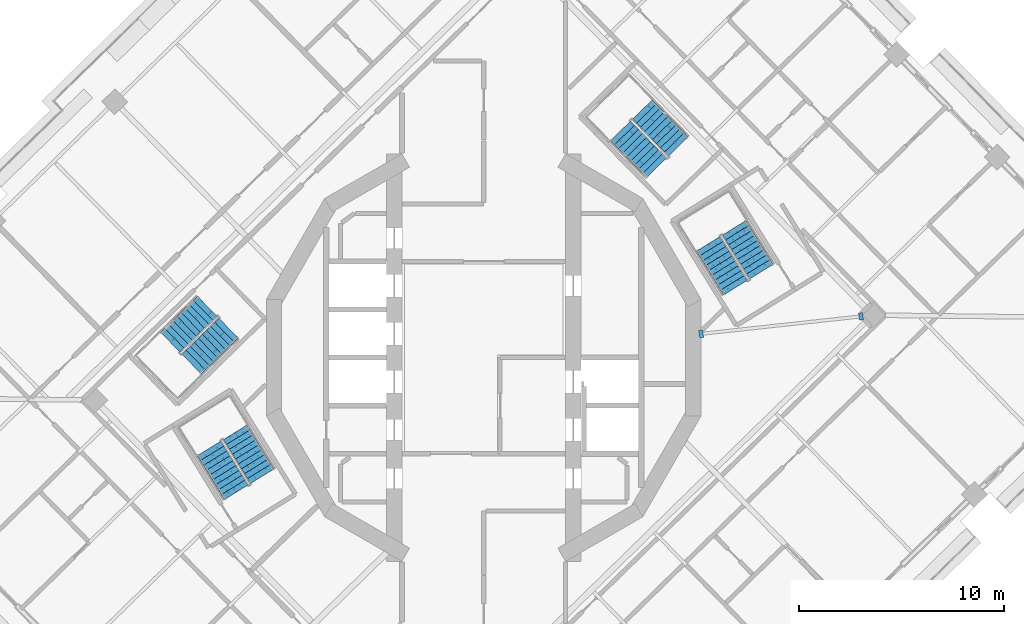
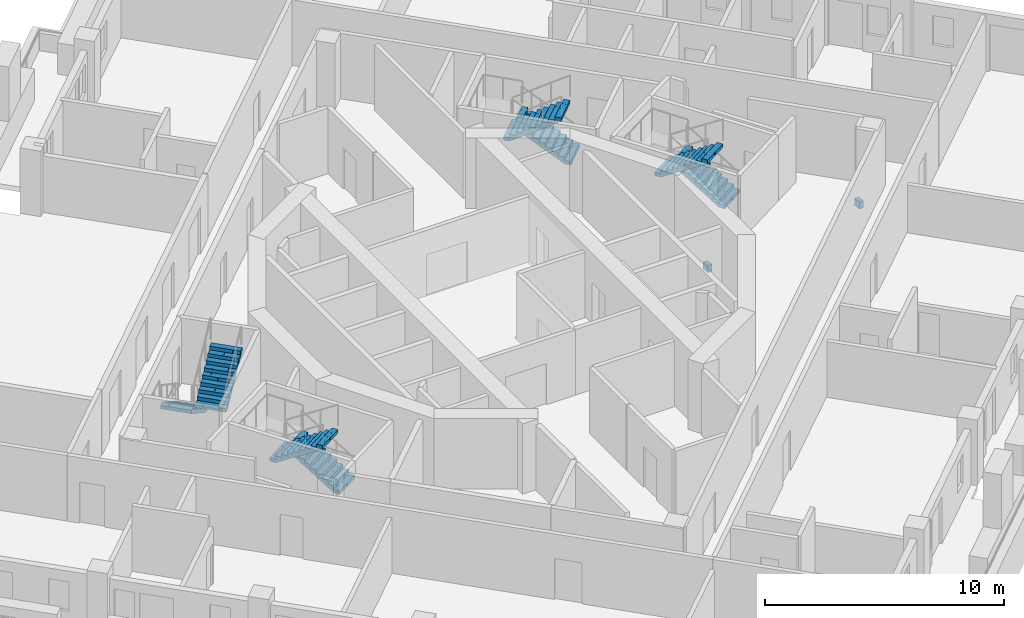
# One storey, part 11 of 17: 8 stair flights, 2 discrete accessories, 4 elements without a shape of their own.
"""IFC4 building model written with IfcOpenShell, lengths in metres."""

from ifc_helpers import new_model, si_unit, direction, frame, origin, place, context, subcontext, project, spatial, polyline, outline, extrude, material, layer, layer_set, type_object, element, aggregate, save


model = new_model("IFC4")

# Units and contexts
model_context = context("Model", 3, precision=1e-05, world=origin(), true_north=direction((0.0, 1.0)))
body_context = subcontext(model_context, "Body", "Model", "MODEL_VIEW")
ifc_project = project(units=[si_unit("LENGTHUNIT", "METRE"), si_unit("AREAUNIT", "SQUARE_METRE"), si_unit("VOLUMEUNIT", "CUBIC_METRE"), si_unit("PLANEANGLEUNIT", "RADIAN"), si_unit("MASSUNIT", "GRAM", prefix="KILO")], contexts=[model_context])

# Site, building, storey
site_placement = place(None, origin())
site = spatial("IfcSite", under=ifc_project, at=site_placement, CompositionType="ELEMENT")
building_placement = place(site_placement, origin())
building = spatial("IfcBuilding", under=site, at=building_placement, Name="Cantera Rosa Tower", CompositionType="ELEMENT")
storey_placement = place(building_placement, frame((0.0, 0.0, 227.0)))
storey = spatial("IfcBuildingStorey", under=building, at=storey_placement, Name="L49", CompositionType="ELEMENT", Elevation=227.0)

# Stair, stair flights
ifc_material_1 = material(Name="Concrete C35/45", Category="concrete")
stair_type = type_object("IfcStairType", Name="EXIT STAIR 1350 DOGLEG", PredefinedType="HALF_TURN_STAIR", material=ifc_material_1)
stair_1_placement = place(storey_placement, origin())
stair_1 = element("IfcStair", 1, at=stair_1_placement, inside=storey, type_object=stair_type, Name="L49 ST-41", PredefinedType="HALF_TURN_STAIR")
ifc_material_2 = material(Name="Concrete C35/45", Category="concrete")
stair_flight_type = type_object("IfcStairFlightType", Name="STAIR FLIGHT 1350 R20x180", PredefinedType="STRAIGHT", material=ifc_material_2)
stair_flight_1_placement = place(storey_placement, frame((13.5732421875, 4.2021484375, 0.0), z_axis=(0.0, 0.0, 1.0), x_axis=(-0.524976585286, 0.851116669383, 0.0)))
stair_flight_1 = element("IfcStairFlight", 2, at=stair_flight_1_placement, type_object=stair_flight_type, Name="ST-41 flight 1", NumberOfRisers=10, NumberOfTreads=9, PredefinedType="STRAIGHT", RiserHeight=0.18, TreadLength=0.28, context=body_context, shape_type="SweptSolid", body=[
    extrude(outline(polyline([(0.0, 0.0), (0.0, 0.179931640625), (0.280029296875, 0.179931640625), (0.280029296875, 0.360107421875), (0.56005859375, 0.360107421875), (0.56005859375, 0.5400390625), (0.840087890625, 0.5400390625), (0.840087890625, 0.719970703125), (1.1201171875, 0.719970703125), (1.1201171875, 0.89990234375), (1.39990234375, 0.89990234375), (1.39990234375, 1.080078125), (1.679931640625, 1.080078125), (1.679931640625, 1.260009765625), (1.9599609375, 1.260009765625), (1.9599609375, 1.43994140625), (2.239990234375, 1.43994140625), (2.239990234375, 1.6201171875), (2.52001953125, 1.6201171875), (2.52001953125, 1.800048828125), (2.52001953125, 1.44189453125), (0.277099609375, 0.0), (0.0, 0.0)])), frame((0.0, 0.675048828125, 0.0), z_axis=(0.0, -1.0, 0.0), x_axis=(1.0, 0.0, 0.0)), (0.0, 0.0, 1.0), 0.3359375),
    extrude(outline(polyline([(0.0, 0.0), (0.0, 0.179931640625), (0.280029296875, 0.179931640625), (0.280029296875, 0.360107421875), (0.56005859375, 0.360107421875), (0.56005859375, 0.5400390625), (0.840087890625, 0.5400390625), (0.840087890625, 0.719970703125), (1.1201171875, 0.719970703125), (1.1201171875, 0.89990234375), (1.39990234375, 0.89990234375), (1.39990234375, 1.080078125), (1.679931640625, 1.080078125), (1.679931640625, 1.260009765625), (1.9599609375, 1.260009765625), (1.9599609375, 1.43994140625), (2.239990234375, 1.43994140625), (2.239990234375, 1.6201171875), (2.52001953125, 1.6201171875), (2.52001953125, 1.800048828125), (2.52001953125, 1.44189453125), (0.277099609375, 0.0), (0.0, 0.0)])), frame((0.0, 0.337158203125, 0.0), z_axis=(0.0, -1.0, 0.0), x_axis=(1.0, 0.0, 0.0)), (0.0, 0.0, 1.0), 0.3359375),
    extrude(outline(polyline([(0.0, 0.0), (0.0, 0.179931640625), (0.280029296875, 0.179931640625), (0.280029296875, 0.360107421875), (0.56005859375, 0.360107421875), (0.56005859375, 0.5400390625), (0.840087890625, 0.5400390625), (0.840087890625, 0.719970703125), (1.1201171875, 0.719970703125), (1.1201171875, 0.89990234375), (1.39990234375, 0.89990234375), (1.39990234375, 1.080078125), (1.679931640625, 1.080078125), (1.679931640625, 1.260009765625), (1.9599609375, 1.260009765625), (1.9599609375, 1.43994140625), (2.239990234375, 1.43994140625), (2.239990234375, 1.6201171875), (2.52001953125, 1.6201171875), (2.52001953125, 1.800048828125), (2.52001953125, 1.44189453125), (0.277099609375, 0.0), (0.0, 0.0)])), frame((0.0, -0.000732421875, 0.0), z_axis=(0.0, -1.0, 0.0), x_axis=(1.0, 0.0, 0.0)), (0.0, 0.0, 1.0), 0.3359375),
    extrude(outline(polyline([(0.0, 0.0), (0.0, 0.179931640625), (0.280029296875, 0.179931640625), (0.280029296875, 0.360107421875), (0.56005859375, 0.360107421875), (0.56005859375, 0.5400390625), (0.840087890625, 0.5400390625), (0.840087890625, 0.719970703125), (1.1201171875, 0.719970703125), (1.1201171875, 0.89990234375), (1.39990234375, 0.89990234375), (1.39990234375, 1.080078125), (1.679931640625, 1.080078125), (1.679931640625, 1.260009765625), (1.9599609375, 1.260009765625), (1.9599609375, 1.43994140625), (2.239990234375, 1.43994140625), (2.239990234375, 1.6201171875), (2.52001953125, 1.6201171875), (2.52001953125, 1.800048828125), (2.52001953125, 1.44189453125), (0.277099609375, 0.0), (0.0, 0.0)])), frame((0.0, -0.338623046875, 0.0), z_axis=(0.0, -1.0, 0.0), x_axis=(1.0, 0.0, 0.0)), (0.0, 0.0, 1.0), 0.3359375),
])
stair_flight_2_placement = place(storey_placement, frame((10.9736328125, 5.5595703125, 1.800048828125), z_axis=(0.0, 0.0, 1.0), x_axis=(0.524976585286, -0.851116669383, 0.0)))
stair_flight_2 = element("IfcStairFlight", 3, at=stair_flight_2_placement, type_object=stair_flight_type, Name="ST-41 flight 2", NumberOfRisers=10, NumberOfTreads=9, PredefinedType="STRAIGHT", RiserHeight=0.18, TreadLength=0.28, context=body_context, shape_type="SweptSolid", body=[
    extrude(outline(polyline([(0.0, 0.0), (0.0, 0.179931640625), (0.280029296875, 0.179931640625), (0.280029296875, 0.360107421875), (0.56005859375, 0.360107421875), (0.56005859375, 0.5400390625), (0.840087890625, 0.5400390625), (0.840087890625, 0.719970703125), (1.1201171875, 0.719970703125), (1.1201171875, 0.89990234375), (1.39990234375, 0.89990234375), (1.39990234375, 1.080078125), (1.679931640625, 1.080078125), (1.679931640625, 1.260009765625), (1.9599609375, 1.260009765625), (1.9599609375, 1.43994140625), (2.239990234375, 1.43994140625), (2.239990234375, 1.6201171875), (2.52001953125, 1.6201171875), (2.52001953125, 1.800048828125), (2.52001953125, 1.44189453125), (0.277099609375, 0.0), (0.0, 0.0)])), frame((0.0, 0.675048828125, 0.0), z_axis=(0.0, -1.0, 0.0), x_axis=(1.0, 0.0, 0.0)), (0.0, 0.0, 1.0), 0.3359375),
    extrude(outline(polyline([(0.0, 0.0), (0.0, 0.179931640625), (0.280029296875, 0.179931640625), (0.280029296875, 0.360107421875), (0.56005859375, 0.360107421875), (0.56005859375, 0.5400390625), (0.840087890625, 0.5400390625), (0.840087890625, 0.719970703125), (1.1201171875, 0.719970703125), (1.1201171875, 0.89990234375), (1.39990234375, 0.89990234375), (1.39990234375, 1.080078125), (1.679931640625, 1.080078125), (1.679931640625, 1.260009765625), (1.9599609375, 1.260009765625), (1.9599609375, 1.43994140625), (2.239990234375, 1.43994140625), (2.239990234375, 1.6201171875), (2.52001953125, 1.6201171875), (2.52001953125, 1.800048828125), (2.52001953125, 1.44189453125), (0.277099609375, 0.0), (0.0, 0.0)])), frame((0.0, 0.337158203125, 0.0), z_axis=(0.0, -1.0, 0.0), x_axis=(1.0, 0.0, 0.0)), (0.0, 0.0, 1.0), 0.3359375),
    extrude(outline(polyline([(0.0, 0.0), (0.0, 0.179931640625), (0.280029296875, 0.179931640625), (0.280029296875, 0.360107421875), (0.56005859375, 0.360107421875), (0.56005859375, 0.5400390625), (0.840087890625, 0.5400390625), (0.840087890625, 0.719970703125), (1.1201171875, 0.719970703125), (1.1201171875, 0.89990234375), (1.39990234375, 0.89990234375), (1.39990234375, 1.080078125), (1.679931640625, 1.080078125), (1.679931640625, 1.260009765625), (1.9599609375, 1.260009765625), (1.9599609375, 1.43994140625), (2.239990234375, 1.43994140625), (2.239990234375, 1.6201171875), (2.52001953125, 1.6201171875), (2.52001953125, 1.800048828125), (2.52001953125, 1.44189453125), (0.277099609375, 0.0), (0.0, 0.0)])), frame((0.0, -0.000732421875, 0.0), z_axis=(0.0, -1.0, 0.0), x_axis=(1.0, 0.0, 0.0)), (0.0, 0.0, 1.0), 0.3359375),
    extrude(outline(polyline([(0.0, 0.0), (0.0, 0.179931640625), (0.280029296875, 0.179931640625), (0.280029296875, 0.360107421875), (0.56005859375, 0.360107421875), (0.56005859375, 0.5400390625), (0.840087890625, 0.5400390625), (0.840087890625, 0.719970703125), (1.1201171875, 0.719970703125), (1.1201171875, 0.89990234375), (1.39990234375, 0.89990234375), (1.39990234375, 1.080078125), (1.679931640625, 1.080078125), (1.679931640625, 1.260009765625), (1.9599609375, 1.260009765625), (1.9599609375, 1.43994140625), (2.239990234375, 1.43994140625), (2.239990234375, 1.6201171875), (2.52001953125, 1.6201171875), (2.52001953125, 1.800048828125), (2.52001953125, 1.44189453125), (0.277099609375, 0.0), (0.0, 0.0)])), frame((0.0, -0.338623046875, 0.0), z_axis=(0.0, -1.0, 0.0), x_axis=(1.0, 0.0, 0.0)), (0.0, 0.0, 1.0), 0.3359375),
])
aggregate(stair_1, [stair_flight_1, stair_flight_2])

stair_2_placement = place(storey_placement, origin())
stair_2 = element("IfcStair", 4, at=stair_2_placement, inside=storey, type_object=stair_type, Name="L49 ST-42", PredefinedType="HALF_TURN_STAIR")
stair_flight_3_placement = place(storey_placement, frame((9.514892578125, 10.32275390625, 0.0), z_axis=(0.0, 0.0, 1.0), x_axis=(-0.698831536207, 0.715286295132, 0.0)))
stair_flight_3 = element("IfcStairFlight", 5, at=stair_flight_3_placement, type_object=stair_flight_type, Name="ST-42 flight 1", NumberOfRisers=10, NumberOfTreads=9, PredefinedType="STRAIGHT", RiserHeight=0.18, TreadLength=0.28, context=body_context, shape_type="SweptSolid", body=[
    extrude(outline(polyline([(0.0, 0.0), (0.0, 0.179931640625), (0.280029296875, 0.179931640625), (0.280029296875, 0.360107421875), (0.56005859375, 0.360107421875), (0.56005859375, 0.5400390625), (0.840087890625, 0.5400390625), (0.840087890625, 0.719970703125), (1.1201171875, 0.719970703125), (1.1201171875, 0.89990234375), (1.39990234375, 0.89990234375), (1.39990234375, 1.080078125), (1.679931640625, 1.080078125), (1.679931640625, 1.260009765625), (1.9599609375, 1.260009765625), (1.9599609375, 1.43994140625), (2.239990234375, 1.43994140625), (2.239990234375, 1.6201171875), (2.52001953125, 1.6201171875), (2.52001953125, 1.800048828125), (2.52001953125, 1.44189453125), (0.277099609375, 0.0), (0.0, 0.0)])), frame((0.0, 0.675048828125, 0.0), z_axis=(0.0, -1.0, 0.0), x_axis=(1.0, 0.0, 0.0)), (0.0, 0.0, 1.0), 0.3359375),
    extrude(outline(polyline([(0.0, 0.0), (0.0, 0.179931640625), (0.280029296875, 0.179931640625), (0.280029296875, 0.360107421875), (0.56005859375, 0.360107421875), (0.56005859375, 0.5400390625), (0.840087890625, 0.5400390625), (0.840087890625, 0.719970703125), (1.1201171875, 0.719970703125), (1.1201171875, 0.89990234375), (1.39990234375, 0.89990234375), (1.39990234375, 1.080078125), (1.679931640625, 1.080078125), (1.679931640625, 1.260009765625), (1.9599609375, 1.260009765625), (1.9599609375, 1.43994140625), (2.239990234375, 1.43994140625), (2.239990234375, 1.6201171875), (2.52001953125, 1.6201171875), (2.52001953125, 1.800048828125), (2.52001953125, 1.44189453125), (0.277099609375, 0.0), (0.0, 0.0)])), frame((0.0, 0.337158203125, 0.0), z_axis=(0.0, -1.0, 0.0), x_axis=(1.0, 0.0, 0.0)), (0.0, 0.0, 1.0), 0.3359375),
    extrude(outline(polyline([(0.0, 0.0), (0.0, 0.179931640625), (0.280029296875, 0.179931640625), (0.280029296875, 0.360107421875), (0.56005859375, 0.360107421875), (0.56005859375, 0.5400390625), (0.840087890625, 0.5400390625), (0.840087890625, 0.719970703125), (1.1201171875, 0.719970703125), (1.1201171875, 0.89990234375), (1.39990234375, 0.89990234375), (1.39990234375, 1.080078125), (1.679931640625, 1.080078125), (1.679931640625, 1.260009765625), (1.9599609375, 1.260009765625), (1.9599609375, 1.43994140625), (2.239990234375, 1.43994140625), (2.239990234375, 1.6201171875), (2.52001953125, 1.6201171875), (2.52001953125, 1.800048828125), (2.52001953125, 1.44189453125), (0.277099609375, 0.0), (0.0, 0.0)])), frame((0.0, -0.000732421875, 0.0), z_axis=(0.0, -1.0, 0.0), x_axis=(1.0, 0.0, 0.0)), (0.0, 0.0, 1.0), 0.3359375),
    extrude(outline(polyline([(0.0, 0.0), (0.0, 0.179931640625), (0.280029296875, 0.179931640625), (0.280029296875, 0.360107421875), (0.56005859375, 0.360107421875), (0.56005859375, 0.5400390625), (0.840087890625, 0.5400390625), (0.840087890625, 0.719970703125), (1.1201171875, 0.719970703125), (1.1201171875, 0.89990234375), (1.39990234375, 0.89990234375), (1.39990234375, 1.080078125), (1.679931640625, 1.080078125), (1.679931640625, 1.260009765625), (1.9599609375, 1.260009765625), (1.9599609375, 1.43994140625), (2.239990234375, 1.43994140625), (2.239990234375, 1.6201171875), (2.52001953125, 1.6201171875), (2.52001953125, 1.800048828125), (2.52001953125, 1.44189453125), (0.277099609375, 0.0), (0.0, 0.0)])), frame((0.0, -0.338623046875, 0.0), z_axis=(0.0, -1.0, 0.0), x_axis=(1.0, 0.0, 0.0)), (0.0, 0.0, 1.0), 0.3359375),
])
stair_flight_4_placement = place(storey_placement, frame((6.680908203125, 11.076904296875, 1.800048828125), z_axis=(0.0, 0.0, 1.0), x_axis=(0.698831536207, -0.715286295132, 0.0)))
stair_flight_4 = element("IfcStairFlight", 6, at=stair_flight_4_placement, type_object=stair_flight_type, Name="ST-42 flight 2", NumberOfRisers=10, NumberOfTreads=9, PredefinedType="STRAIGHT", RiserHeight=0.18, TreadLength=0.28, context=body_context, shape_type="SweptSolid", body=[
    extrude(outline(polyline([(0.0, 0.0), (0.0, 0.179931640625), (0.280029296875, 0.179931640625), (0.280029296875, 0.360107421875), (0.56005859375, 0.360107421875), (0.56005859375, 0.5400390625), (0.840087890625, 0.5400390625), (0.840087890625, 0.719970703125), (1.1201171875, 0.719970703125), (1.1201171875, 0.89990234375), (1.39990234375, 0.89990234375), (1.39990234375, 1.080078125), (1.679931640625, 1.080078125), (1.679931640625, 1.260009765625), (1.9599609375, 1.260009765625), (1.9599609375, 1.43994140625), (2.239990234375, 1.43994140625), (2.239990234375, 1.6201171875), (2.52001953125, 1.6201171875), (2.52001953125, 1.800048828125), (2.52001953125, 1.44189453125), (0.277099609375, 0.0), (0.0, 0.0)])), frame((0.0, 0.675048828125, 0.0), z_axis=(0.0, -1.0, 0.0), x_axis=(1.0, 0.0, 0.0)), (0.0, 0.0, 1.0), 0.3359375),
    extrude(outline(polyline([(0.0, 0.0), (0.0, 0.179931640625), (0.280029296875, 0.179931640625), (0.280029296875, 0.360107421875), (0.56005859375, 0.360107421875), (0.56005859375, 0.5400390625), (0.840087890625, 0.5400390625), (0.840087890625, 0.719970703125), (1.1201171875, 0.719970703125), (1.1201171875, 0.89990234375), (1.39990234375, 0.89990234375), (1.39990234375, 1.080078125), (1.679931640625, 1.080078125), (1.679931640625, 1.260009765625), (1.9599609375, 1.260009765625), (1.9599609375, 1.43994140625), (2.239990234375, 1.43994140625), (2.239990234375, 1.6201171875), (2.52001953125, 1.6201171875), (2.52001953125, 1.800048828125), (2.52001953125, 1.44189453125), (0.277099609375, 0.0), (0.0, 0.0)])), frame((0.0, 0.337158203125, 0.0), z_axis=(0.0, -1.0, 0.0), x_axis=(1.0, 0.0, 0.0)), (0.0, 0.0, 1.0), 0.3359375),
    extrude(outline(polyline([(0.0, 0.0), (0.0, 0.179931640625), (0.280029296875, 0.179931640625), (0.280029296875, 0.360107421875), (0.56005859375, 0.360107421875), (0.56005859375, 0.5400390625), (0.840087890625, 0.5400390625), (0.840087890625, 0.719970703125), (1.1201171875, 0.719970703125), (1.1201171875, 0.89990234375), (1.39990234375, 0.89990234375), (1.39990234375, 1.080078125), (1.679931640625, 1.080078125), (1.679931640625, 1.260009765625), (1.9599609375, 1.260009765625), (1.9599609375, 1.43994140625), (2.239990234375, 1.43994140625), (2.239990234375, 1.6201171875), (2.52001953125, 1.6201171875), (2.52001953125, 1.800048828125), (2.52001953125, 1.44189453125), (0.277099609375, 0.0), (0.0, 0.0)])), frame((0.0, -0.000732421875, 0.0), z_axis=(0.0, -1.0, 0.0), x_axis=(1.0, 0.0, 0.0)), (0.0, 0.0, 1.0), 0.3359375),
    extrude(outline(polyline([(0.0, 0.0), (0.0, 0.179931640625), (0.280029296875, 0.179931640625), (0.280029296875, 0.360107421875), (0.56005859375, 0.360107421875), (0.56005859375, 0.5400390625), (0.840087890625, 0.5400390625), (0.840087890625, 0.719970703125), (1.1201171875, 0.719970703125), (1.1201171875, 0.89990234375), (1.39990234375, 0.89990234375), (1.39990234375, 1.080078125), (1.679931640625, 1.080078125), (1.679931640625, 1.260009765625), (1.9599609375, 1.260009765625), (1.9599609375, 1.43994140625), (2.239990234375, 1.43994140625), (2.239990234375, 1.6201171875), (2.52001953125, 1.6201171875), (2.52001953125, 1.800048828125), (2.52001953125, 1.44189453125), (0.277099609375, 0.0), (0.0, 0.0)])), frame((0.0, -0.338623046875, 0.0), z_axis=(0.0, -1.0, 0.0), x_axis=(1.0, 0.0, 0.0)), (0.0, 0.0, 1.0), 0.3359375),
])
aggregate(stair_2, [stair_flight_3, stair_flight_4])

stair_3_placement = place(storey_placement, origin())
stair_3 = element("IfcStair", 7, at=stair_3_placement, inside=storey, type_object=stair_type, Name="L49 ST-43", PredefinedType="HALF_TURN_STAIR")
stair_flight_5_placement = place(storey_placement, frame((-13.522705078125, 2.514892578125, 0.0), z_axis=(0.0, 0.0, 1.0), x_axis=(-0.715286295132, -0.698831536207, 0.0)))
stair_flight_5 = element("IfcStairFlight", 8, at=stair_flight_5_placement, type_object=stair_flight_type, Name="ST-43 flight 1", NumberOfRisers=10, NumberOfTreads=9, PredefinedType="STRAIGHT", RiserHeight=0.18, TreadLength=0.28, context=body_context, shape_type="SweptSolid", body=[
    extrude(outline(polyline([(0.0, 0.0), (0.0, 0.179931640625), (0.280029296875, 0.179931640625), (0.280029296875, 0.360107421875), (0.56005859375, 0.360107421875), (0.56005859375, 0.5400390625), (0.840087890625, 0.5400390625), (0.840087890625, 0.719970703125), (1.1201171875, 0.719970703125), (1.1201171875, 0.89990234375), (1.39990234375, 0.89990234375), (1.39990234375, 1.080078125), (1.679931640625, 1.080078125), (1.679931640625, 1.260009765625), (1.9599609375, 1.260009765625), (1.9599609375, 1.43994140625), (2.239990234375, 1.43994140625), (2.239990234375, 1.6201171875), (2.52001953125, 1.6201171875), (2.52001953125, 1.800048828125), (2.52001953125, 1.44189453125), (0.277099609375, 0.0), (0.0, 0.0)])), frame((0.0, 0.675048828125, 0.0), z_axis=(0.0, -1.0, 0.0), x_axis=(1.0, 0.0, 0.0)), (0.0, 0.0, 1.0), 0.3359375),
    extrude(outline(polyline([(0.0, 0.0), (0.0, 0.179931640625), (0.280029296875, 0.179931640625), (0.280029296875, 0.360107421875), (0.56005859375, 0.360107421875), (0.56005859375, 0.5400390625), (0.840087890625, 0.5400390625), (0.840087890625, 0.719970703125), (1.1201171875, 0.719970703125), (1.1201171875, 0.89990234375), (1.39990234375, 0.89990234375), (1.39990234375, 1.080078125), (1.679931640625, 1.080078125), (1.679931640625, 1.260009765625), (1.9599609375, 1.260009765625), (1.9599609375, 1.43994140625), (2.239990234375, 1.43994140625), (2.239990234375, 1.6201171875), (2.52001953125, 1.6201171875), (2.52001953125, 1.800048828125), (2.52001953125, 1.44189453125), (0.277099609375, 0.0), (0.0, 0.0)])), frame((0.0, 0.337158203125, 0.0), z_axis=(0.0, -1.0, 0.0), x_axis=(1.0, 0.0, 0.0)), (0.0, 0.0, 1.0), 0.3359375),
    extrude(outline(polyline([(0.0, 0.0), (0.0, 0.179931640625), (0.280029296875, 0.179931640625), (0.280029296875, 0.360107421875), (0.56005859375, 0.360107421875), (0.56005859375, 0.5400390625), (0.840087890625, 0.5400390625), (0.840087890625, 0.719970703125), (1.1201171875, 0.719970703125), (1.1201171875, 0.89990234375), (1.39990234375, 0.89990234375), (1.39990234375, 1.080078125), (1.679931640625, 1.080078125), (1.679931640625, 1.260009765625), (1.9599609375, 1.260009765625), (1.9599609375, 1.43994140625), (2.239990234375, 1.43994140625), (2.239990234375, 1.6201171875), (2.52001953125, 1.6201171875), (2.52001953125, 1.800048828125), (2.52001953125, 1.44189453125), (0.277099609375, 0.0), (0.0, 0.0)])), frame((0.0, -0.000732421875, 0.0), z_axis=(0.0, -1.0, 0.0), x_axis=(1.0, 0.0, 0.0)), (0.0, 0.0, 1.0), 0.3359375),
    extrude(outline(polyline([(0.0, 0.0), (0.0, 0.179931640625), (0.280029296875, 0.179931640625), (0.280029296875, 0.360107421875), (0.56005859375, 0.360107421875), (0.56005859375, 0.5400390625), (0.840087890625, 0.5400390625), (0.840087890625, 0.719970703125), (1.1201171875, 0.719970703125), (1.1201171875, 0.89990234375), (1.39990234375, 0.89990234375), (1.39990234375, 1.080078125), (1.679931640625, 1.080078125), (1.679931640625, 1.260009765625), (1.9599609375, 1.260009765625), (1.9599609375, 1.43994140625), (2.239990234375, 1.43994140625), (2.239990234375, 1.6201171875), (2.52001953125, 1.6201171875), (2.52001953125, 1.800048828125), (2.52001953125, 1.44189453125), (0.277099609375, 0.0), (0.0, 0.0)])), frame((0.0, -0.338623046875, 0.0), z_axis=(0.0, -1.0, 0.0), x_axis=(1.0, 0.0, 0.0)), (0.0, 0.0, 1.0), 0.3359375),
])
stair_flight_6_placement = place(storey_placement, frame((-14.277099609375, -0.319091796875, 1.800048828125), z_axis=(0.0, 0.0, 1.0), x_axis=(0.715286295132, 0.698831536207, 0.0)))
stair_flight_6 = element("IfcStairFlight", 9, at=stair_flight_6_placement, type_object=stair_flight_type, Name="ST-43 flight 2", NumberOfRisers=10, NumberOfTreads=9, PredefinedType="STRAIGHT", RiserHeight=0.18, TreadLength=0.28, context=body_context, shape_type="SweptSolid", body=[
    extrude(outline(polyline([(0.0, 0.0), (0.0, 0.179931640625), (0.280029296875, 0.179931640625), (0.280029296875, 0.360107421875), (0.56005859375, 0.360107421875), (0.56005859375, 0.5400390625), (0.840087890625, 0.5400390625), (0.840087890625, 0.719970703125), (1.1201171875, 0.719970703125), (1.1201171875, 0.89990234375), (1.39990234375, 0.89990234375), (1.39990234375, 1.080078125), (1.679931640625, 1.080078125), (1.679931640625, 1.260009765625), (1.9599609375, 1.260009765625), (1.9599609375, 1.43994140625), (2.239990234375, 1.43994140625), (2.239990234375, 1.6201171875), (2.52001953125, 1.6201171875), (2.52001953125, 1.800048828125), (2.52001953125, 1.44189453125), (0.277099609375, 0.0), (0.0, 0.0)])), frame((0.0, 0.675048828125, 0.0), z_axis=(0.0, -1.0, 0.0), x_axis=(1.0, 0.0, 0.0)), (0.0, 0.0, 1.0), 0.3359375),
    extrude(outline(polyline([(0.0, 0.0), (0.0, 0.179931640625), (0.280029296875, 0.179931640625), (0.280029296875, 0.360107421875), (0.56005859375, 0.360107421875), (0.56005859375, 0.5400390625), (0.840087890625, 0.5400390625), (0.840087890625, 0.719970703125), (1.1201171875, 0.719970703125), (1.1201171875, 0.89990234375), (1.39990234375, 0.89990234375), (1.39990234375, 1.080078125), (1.679931640625, 1.080078125), (1.679931640625, 1.260009765625), (1.9599609375, 1.260009765625), (1.9599609375, 1.43994140625), (2.239990234375, 1.43994140625), (2.239990234375, 1.6201171875), (2.52001953125, 1.6201171875), (2.52001953125, 1.800048828125), (2.52001953125, 1.44189453125), (0.277099609375, 0.0), (0.0, 0.0)])), frame((0.0, 0.337158203125, 0.0), z_axis=(0.0, -1.0, 0.0), x_axis=(1.0, 0.0, 0.0)), (0.0, 0.0, 1.0), 0.3359375),
    extrude(outline(polyline([(0.0, 0.0), (0.0, 0.179931640625), (0.280029296875, 0.179931640625), (0.280029296875, 0.360107421875), (0.56005859375, 0.360107421875), (0.56005859375, 0.5400390625), (0.840087890625, 0.5400390625), (0.840087890625, 0.719970703125), (1.1201171875, 0.719970703125), (1.1201171875, 0.89990234375), (1.39990234375, 0.89990234375), (1.39990234375, 1.080078125), (1.679931640625, 1.080078125), (1.679931640625, 1.260009765625), (1.9599609375, 1.260009765625), (1.9599609375, 1.43994140625), (2.239990234375, 1.43994140625), (2.239990234375, 1.6201171875), (2.52001953125, 1.6201171875), (2.52001953125, 1.800048828125), (2.52001953125, 1.44189453125), (0.277099609375, 0.0), (0.0, 0.0)])), frame((0.0, -0.000732421875, 0.0), z_axis=(0.0, -1.0, 0.0), x_axis=(1.0, 0.0, 0.0)), (0.0, 0.0, 1.0), 0.3359375),
    extrude(outline(polyline([(0.0, 0.0), (0.0, 0.179931640625), (0.280029296875, 0.179931640625), (0.280029296875, 0.360107421875), (0.56005859375, 0.360107421875), (0.56005859375, 0.5400390625), (0.840087890625, 0.5400390625), (0.840087890625, 0.719970703125), (1.1201171875, 0.719970703125), (1.1201171875, 0.89990234375), (1.39990234375, 0.89990234375), (1.39990234375, 1.080078125), (1.679931640625, 1.080078125), (1.679931640625, 1.260009765625), (1.9599609375, 1.260009765625), (1.9599609375, 1.43994140625), (2.239990234375, 1.43994140625), (2.239990234375, 1.6201171875), (2.52001953125, 1.6201171875), (2.52001953125, 1.800048828125), (2.52001953125, 1.44189453125), (0.277099609375, 0.0), (0.0, 0.0)])), frame((0.0, -0.338623046875, 0.0), z_axis=(0.0, -1.0, 0.0), x_axis=(1.0, 0.0, 0.0)), (0.0, 0.0, 1.0), 0.3359375),
])
aggregate(stair_3, [stair_flight_5, stair_flight_6])

stair_4_placement = place(storey_placement, origin())
stair_4 = element("IfcStair", 10, at=stair_4_placement, inside=storey, type_object=stair_type, Name="L49 ST-44", PredefinedType="HALF_TURN_STAIR")
stair_flight_7_placement = place(storey_placement, frame((-10.82666015625, -5.7978515625, 0.0), z_axis=(0.0, 0.0, 1.0), x_axis=(-0.524976585286, 0.851116669383, 0.0)))
stair_flight_7 = element("IfcStairFlight", 11, at=stair_flight_7_placement, type_object=stair_flight_type, Name="ST-44 flight 1", NumberOfRisers=10, NumberOfTreads=9, PredefinedType="STRAIGHT", RiserHeight=0.18, TreadLength=0.28, context=body_context, shape_type="SweptSolid", body=[
    extrude(outline(polyline([(0.0, 0.0), (0.0, 0.179931640625), (0.280029296875, 0.179931640625), (0.280029296875, 0.360107421875), (0.56005859375, 0.360107421875), (0.56005859375, 0.5400390625), (0.840087890625, 0.5400390625), (0.840087890625, 0.719970703125), (1.1201171875, 0.719970703125), (1.1201171875, 0.89990234375), (1.39990234375, 0.89990234375), (1.39990234375, 1.080078125), (1.679931640625, 1.080078125), (1.679931640625, 1.260009765625), (1.9599609375, 1.260009765625), (1.9599609375, 1.43994140625), (2.239990234375, 1.43994140625), (2.239990234375, 1.6201171875), (2.52001953125, 1.6201171875), (2.52001953125, 1.800048828125), (2.52001953125, 1.44189453125), (0.277099609375, 0.0), (0.0, 0.0)])), frame((0.0, 0.675048828125, 0.0), z_axis=(0.0, -1.0, 0.0), x_axis=(1.0, 0.0, 0.0)), (0.0, 0.0, 1.0), 0.3359375),
    extrude(outline(polyline([(0.0, 0.0), (0.0, 0.179931640625), (0.280029296875, 0.179931640625), (0.280029296875, 0.360107421875), (0.56005859375, 0.360107421875), (0.56005859375, 0.5400390625), (0.840087890625, 0.5400390625), (0.840087890625, 0.719970703125), (1.1201171875, 0.719970703125), (1.1201171875, 0.89990234375), (1.39990234375, 0.89990234375), (1.39990234375, 1.080078125), (1.679931640625, 1.080078125), (1.679931640625, 1.260009765625), (1.9599609375, 1.260009765625), (1.9599609375, 1.43994140625), (2.239990234375, 1.43994140625), (2.239990234375, 1.6201171875), (2.52001953125, 1.6201171875), (2.52001953125, 1.800048828125), (2.52001953125, 1.44189453125), (0.277099609375, 0.0), (0.0, 0.0)])), frame((0.0, 0.337158203125, 0.0), z_axis=(0.0, -1.0, 0.0), x_axis=(1.0, 0.0, 0.0)), (0.0, 0.0, 1.0), 0.3359375),
    extrude(outline(polyline([(0.0, 0.0), (0.0, 0.179931640625), (0.280029296875, 0.179931640625), (0.280029296875, 0.360107421875), (0.56005859375, 0.360107421875), (0.56005859375, 0.5400390625), (0.840087890625, 0.5400390625), (0.840087890625, 0.719970703125), (1.1201171875, 0.719970703125), (1.1201171875, 0.89990234375), (1.39990234375, 0.89990234375), (1.39990234375, 1.080078125), (1.679931640625, 1.080078125), (1.679931640625, 1.260009765625), (1.9599609375, 1.260009765625), (1.9599609375, 1.43994140625), (2.239990234375, 1.43994140625), (2.239990234375, 1.6201171875), (2.52001953125, 1.6201171875), (2.52001953125, 1.800048828125), (2.52001953125, 1.44189453125), (0.277099609375, 0.0), (0.0, 0.0)])), frame((0.0, -0.000732421875, 0.0), z_axis=(0.0, -1.0, 0.0), x_axis=(1.0, 0.0, 0.0)), (0.0, 0.0, 1.0), 0.3359375),
    extrude(outline(polyline([(0.0, 0.0), (0.0, 0.179931640625), (0.280029296875, 0.179931640625), (0.280029296875, 0.360107421875), (0.56005859375, 0.360107421875), (0.56005859375, 0.5400390625), (0.840087890625, 0.5400390625), (0.840087890625, 0.719970703125), (1.1201171875, 0.719970703125), (1.1201171875, 0.89990234375), (1.39990234375, 0.89990234375), (1.39990234375, 1.080078125), (1.679931640625, 1.080078125), (1.679931640625, 1.260009765625), (1.9599609375, 1.260009765625), (1.9599609375, 1.43994140625), (2.239990234375, 1.43994140625), (2.239990234375, 1.6201171875), (2.52001953125, 1.6201171875), (2.52001953125, 1.800048828125), (2.52001953125, 1.44189453125), (0.277099609375, 0.0), (0.0, 0.0)])), frame((0.0, -0.338623046875, 0.0), z_axis=(0.0, -1.0, 0.0), x_axis=(1.0, 0.0, 0.0)), (0.0, 0.0, 1.0), 0.3359375),
])
stair_flight_8_placement = place(storey_placement, frame((-13.42626953125, -4.4404296875, 1.800048828125), z_axis=(0.0, 0.0, 1.0), x_axis=(0.524976585286, -0.851116669383, 0.0)))
stair_flight_8 = element("IfcStairFlight", 12, at=stair_flight_8_placement, type_object=stair_flight_type, Name="ST-44 flight 2", NumberOfRisers=10, NumberOfTreads=9, PredefinedType="STRAIGHT", RiserHeight=0.18, TreadLength=0.28, context=body_context, shape_type="SweptSolid", body=[
    extrude(outline(polyline([(0.0, 0.0), (0.0, 0.179931640625), (0.280029296875, 0.179931640625), (0.280029296875, 0.360107421875), (0.56005859375, 0.360107421875), (0.56005859375, 0.5400390625), (0.840087890625, 0.5400390625), (0.840087890625, 0.719970703125), (1.1201171875, 0.719970703125), (1.1201171875, 0.89990234375), (1.39990234375, 0.89990234375), (1.39990234375, 1.080078125), (1.679931640625, 1.080078125), (1.679931640625, 1.260009765625), (1.9599609375, 1.260009765625), (1.9599609375, 1.43994140625), (2.239990234375, 1.43994140625), (2.239990234375, 1.6201171875), (2.52001953125, 1.6201171875), (2.52001953125, 1.800048828125), (2.52001953125, 1.44189453125), (0.277099609375, 0.0), (0.0, 0.0)])), frame((0.0, 0.675048828125, 0.0), z_axis=(0.0, -1.0, 0.0), x_axis=(1.0, 0.0, 0.0)), (0.0, 0.0, 1.0), 0.3359375),
    extrude(outline(polyline([(0.0, 0.0), (0.0, 0.179931640625), (0.280029296875, 0.179931640625), (0.280029296875, 0.360107421875), (0.56005859375, 0.360107421875), (0.56005859375, 0.5400390625), (0.840087890625, 0.5400390625), (0.840087890625, 0.719970703125), (1.1201171875, 0.719970703125), (1.1201171875, 0.89990234375), (1.39990234375, 0.89990234375), (1.39990234375, 1.080078125), (1.679931640625, 1.080078125), (1.679931640625, 1.260009765625), (1.9599609375, 1.260009765625), (1.9599609375, 1.43994140625), (2.239990234375, 1.43994140625), (2.239990234375, 1.6201171875), (2.52001953125, 1.6201171875), (2.52001953125, 1.800048828125), (2.52001953125, 1.44189453125), (0.277099609375, 0.0), (0.0, 0.0)])), frame((0.0, 0.337158203125, 0.0), z_axis=(0.0, -1.0, 0.0), x_axis=(1.0, 0.0, 0.0)), (0.0, 0.0, 1.0), 0.3359375),
    extrude(outline(polyline([(0.0, 0.0), (0.0, 0.179931640625), (0.280029296875, 0.179931640625), (0.280029296875, 0.360107421875), (0.56005859375, 0.360107421875), (0.56005859375, 0.5400390625), (0.840087890625, 0.5400390625), (0.840087890625, 0.719970703125), (1.1201171875, 0.719970703125), (1.1201171875, 0.89990234375), (1.39990234375, 0.89990234375), (1.39990234375, 1.080078125), (1.679931640625, 1.080078125), (1.679931640625, 1.260009765625), (1.9599609375, 1.260009765625), (1.9599609375, 1.43994140625), (2.239990234375, 1.43994140625), (2.239990234375, 1.6201171875), (2.52001953125, 1.6201171875), (2.52001953125, 1.800048828125), (2.52001953125, 1.44189453125), (0.277099609375, 0.0), (0.0, 0.0)])), frame((0.0, -0.000732421875, 0.0), z_axis=(0.0, -1.0, 0.0), x_axis=(1.0, 0.0, 0.0)), (0.0, 0.0, 1.0), 0.3359375),
    extrude(outline(polyline([(0.0, 0.0), (0.0, 0.179931640625), (0.280029296875, 0.179931640625), (0.280029296875, 0.360107421875), (0.56005859375, 0.360107421875), (0.56005859375, 0.5400390625), (0.840087890625, 0.5400390625), (0.840087890625, 0.719970703125), (1.1201171875, 0.719970703125), (1.1201171875, 0.89990234375), (1.39990234375, 0.89990234375), (1.39990234375, 1.080078125), (1.679931640625, 1.080078125), (1.679931640625, 1.260009765625), (1.9599609375, 1.260009765625), (1.9599609375, 1.43994140625), (2.239990234375, 1.43994140625), (2.239990234375, 1.6201171875), (2.52001953125, 1.6201171875), (2.52001953125, 1.800048828125), (2.52001953125, 1.44189453125), (0.277099609375, 0.0), (0.0, 0.0)])), frame((0.0, -0.338623046875, 0.0), z_axis=(0.0, -1.0, 0.0), x_axis=(1.0, 0.0, 0.0)), (0.0, 0.0, 1.0), 0.3359375),
])
aggregate(stair_4, [stair_flight_7, stair_flight_8])

# Discrete accessories
ifc_material_3 = material(Name="Steel ASTM A992 (Fy 345 MPa)", Category="steel")
ifc_layer = layer(ifc_material_3, 0.0400390625)
ifc_layer_set = layer_set([ifc_layer], Name="STEEL BEARING PLATE 40")
discrete_accessory_type = type_object("IfcDiscreteAccessoryType", Name="STEEL BEARING PLATE 40", PredefinedType="ANCHORPLATE", material=ifc_layer_set)
discrete_accessory_1_placement = place(storey_placement, frame((0.0, 0.0, -0.659912109375)))
element("IfcDiscreteAccessory", 13, at=discrete_accessory_1_placement, inside=storey, type_object=discrete_accessory_type, Name="BEARING PLATE PG-Z4-01 end 1 L49", PredefinedType="ANCHORPLATE", context=body_context, shape_type="SweptSolid", body=[
    extrude(outline(polyline([(18.362548828125, 1.828125), (18.5615234375, 1.849853515625), (18.52294921875, 2.20166015625), (18.32421875, 2.179931640625), (18.362548828125, 1.828125)])), origin(), (0.0, 0.0, 1.0), 0.35986328125),
])
discrete_accessory_2_placement = place(storey_placement, frame((0.0, 0.0, -0.659912109375)))
element("IfcDiscreteAccessory", 14, at=discrete_accessory_2_placement, inside=storey, type_object=discrete_accessory_type, Name="BEARING PLATE PG-Z4-01 end 2 L49", PredefinedType="ANCHORPLATE", context=body_context, shape_type="SweptSolid", body=[
    extrude(outline(polyline([(10.705322265625, 1.34765625), (10.506591796875, 1.325927734375), (10.544921875, 0.97412109375), (10.743896484375, 0.99560546875), (10.705322265625, 1.34765625)])), origin(), (0.0, 0.0, 1.0), 0.35986328125),
])

save(model, "model.ifc")
